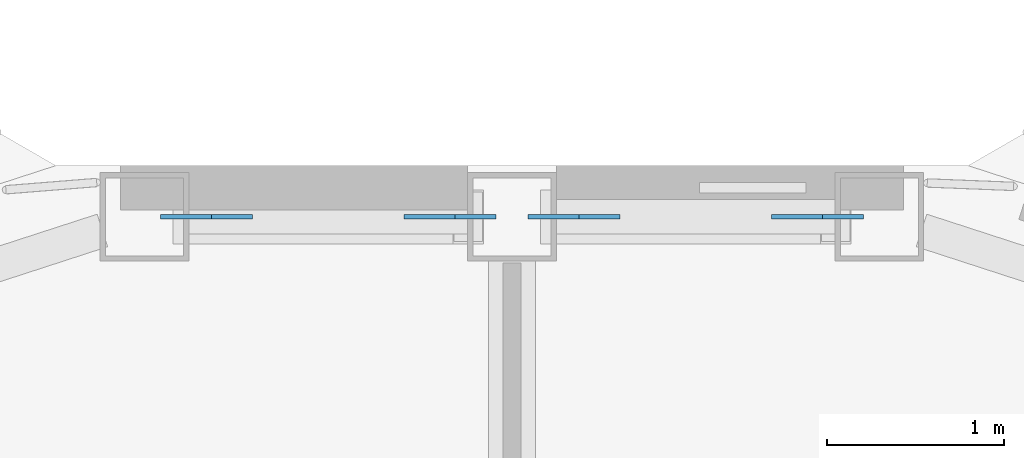
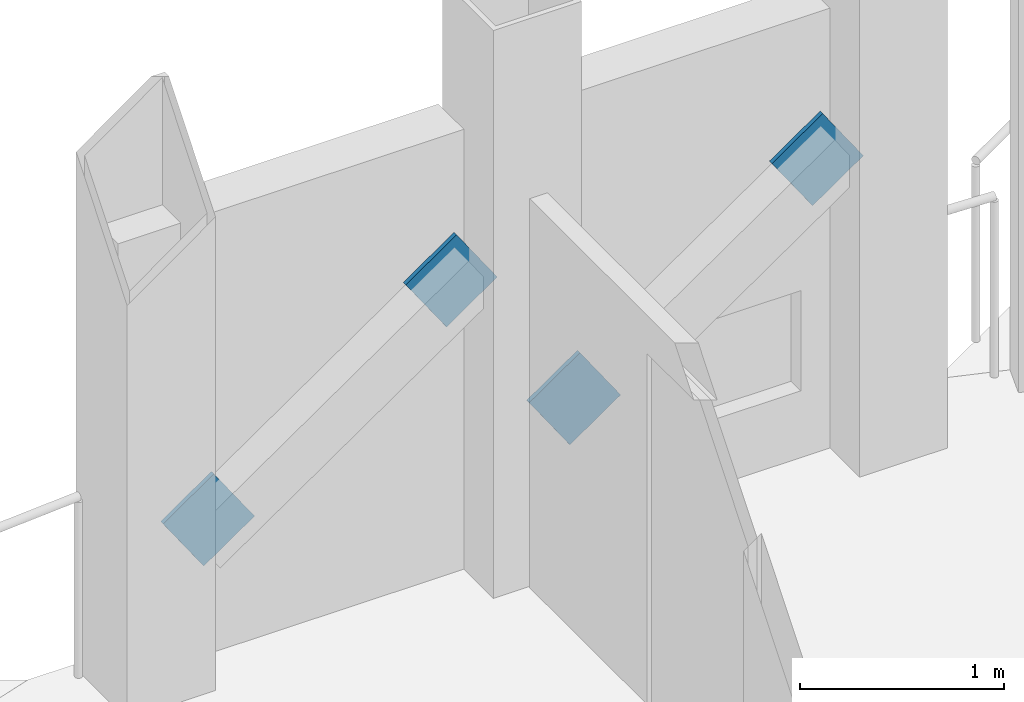
# One storey, part 21 of 26: 4 discrete accessories.
"""IFC4 building model written with IfcOpenShell, lengths in metres."""

from ifc_helpers import new_model, si_unit, direction, frame, origin, origin_2d, place, context, subcontext, project, spatial, rectangle, extrude, material, material_profile, profile_set, type_object, element, save


model = new_model("IFC4")

# Units and contexts
model_context = context("Model", 3, precision=1e-05, world=origin(), true_north=direction((0.0, 1.0)))
body_context = subcontext(model_context, "Body", "Model", "MODEL_VIEW")
ifc_project = project(units=[si_unit("LENGTHUNIT", "METRE"), si_unit("AREAUNIT", "SQUARE_METRE"), si_unit("VOLUMEUNIT", "CUBIC_METRE"), si_unit("PLANEANGLEUNIT", "RADIAN"), si_unit("MASSUNIT", "GRAM", prefix="KILO")], contexts=[model_context])

# Site, building, storey
site_placement = place(None, origin())
site = spatial("IfcSite", under=ifc_project, at=site_placement, CompositionType="ELEMENT")
building_placement = place(site_placement, origin())
building = spatial("IfcBuilding", under=site, at=building_placement, Name="Cormorant Prow Tower", CompositionType="ELEMENT")
storey_placement = place(building_placement, frame((0.0, 0.0, 371.199951171875)))
storey = spatial("IfcBuildingStorey", under=building, at=storey_placement, Name="L83", CompositionType="ELEMENT", Elevation=371.199951171875)

# Discrete accessories
ifc_material = material(Name="Structural steel ASTM A500 Gr C", Category="steel")
ifc_material_profile = material_profile(ifc_material, rectangle(XDim=0.02490234375, YDim=0.405029296875, at=origin_2d()), Name="Gusset plate 25x405")
ifc_profile_set = profile_set([ifc_material_profile], Name="Structural steel ASTM A500 Gr C")
discrete_accessory_type = type_object("IfcDiscreteAccessoryType", Name="Gusset plate 25x405", PredefinedType="BRACKET", material=ifc_profile_set)
discrete_accessory_1_placement = place(storey_placement, frame((0.493408203125, 31.219482421875, 0.941162109375), z_axis=(-0.822593864641, 0.0, -0.568629346635), x_axis=(0.0, -1.0, 0.0)))
element("IfcDiscreteAccessory", 1, at=discrete_accessory_1_placement, inside=storey, type_object=discrete_accessory_type, Name="Gusset plate GP3 L83.N00.g0", PredefinedType="BRACKET", context=body_context, shape_type="SweptSolid", body=[
    extrude(rectangle(XDim=0.02490234375, YDim=0.405029296875, at=origin_2d()), origin(), (0.0, 0.0, 1.0), 0.349853515625),
])
discrete_accessory_2_placement = place(storey_placement, frame((1.580322265625, 31.219482421875, 1.692626953125), z_axis=(0.82226750666, 0.0, 0.569101175093), x_axis=(0.0, 1.0, 0.0)))
element("IfcDiscreteAccessory", 2, at=discrete_accessory_2_placement, inside=storey, type_object=discrete_accessory_type, Name="Gusset plate GP3 L83.N00.g1", PredefinedType="BRACKET", context=body_context, shape_type="SweptSolid", body=[
    extrude(rectangle(XDim=0.02490234375, YDim=0.405029296875, at=origin_2d()), origin(), (0.0, 0.0, 1.0), 0.35009765625),
])
discrete_accessory_3_placement = place(storey_placement, frame((-1.580322265625, 31.219482421875, 0.941162109375), z_axis=(-0.822593864641, 0.0, -0.568629346635), x_axis=(0.0, -1.0, 0.0)))
element("IfcDiscreteAccessory", 3, at=discrete_accessory_3_placement, inside=storey, type_object=discrete_accessory_type, Name="Gusset plate GP3 L83.N01.g0", PredefinedType="BRACKET", context=body_context, shape_type="SweptSolid", body=[
    extrude(rectangle(XDim=0.02490234375, YDim=0.405029296875, at=origin_2d()), origin(), (0.0, 0.0, 1.0), 0.349853515625),
])
discrete_accessory_4_placement = place(storey_placement, frame((-0.493408203125, 31.219482421875, 1.692626953125), z_axis=(0.82226750666, 0.0, 0.569101175093), x_axis=(0.0, 1.0, 0.0)))
element("IfcDiscreteAccessory", 4, at=discrete_accessory_4_placement, inside=storey, type_object=discrete_accessory_type, Name="Gusset plate GP3 L83.N01.g1", PredefinedType="BRACKET", context=body_context, shape_type="SweptSolid", body=[
    extrude(rectangle(XDim=0.02490234375, YDim=0.405029296875, at=origin_2d()), origin(), (0.0, 0.0, 1.0), 0.35009765625),
])

save(model, "model.ifc")
